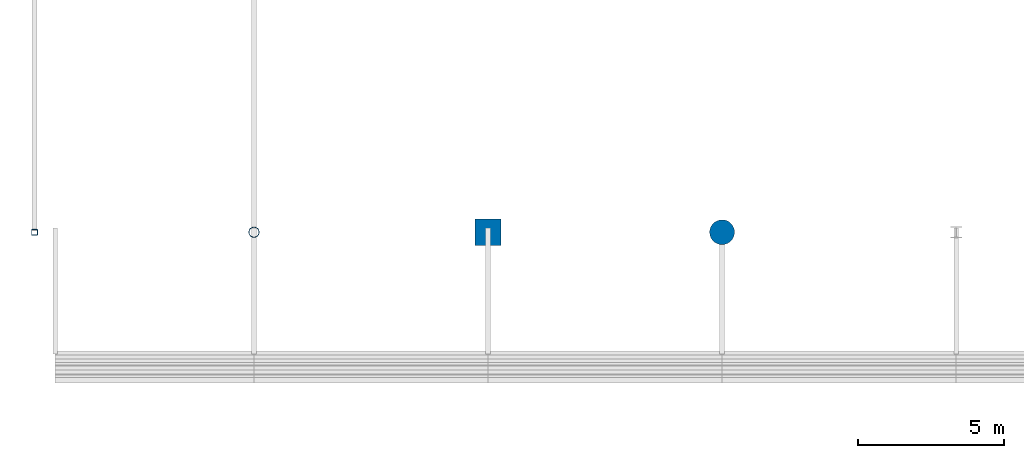
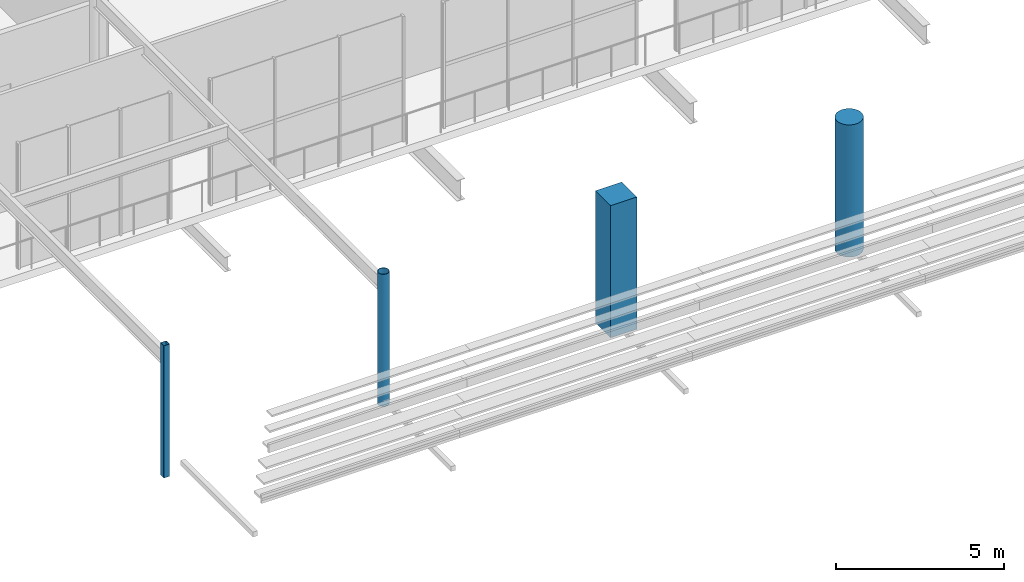
# One storey, part 1 of 70: 4 columns.
"""IFC4 building model written with IfcOpenShell, lengths in metres."""

import ifcopenshell
import ifcopenshell.guid

model = None  # the IFC model being written
_history = None  # IfcOwnerHistory: only IFC2X3 demands one
_inside = {}  # id of a spatial element -> (the spatial element, [elements in it])
_under = {}  # id of a project, library or spatial element -> (it, [spatial elements below it])
_declared = {}  # id of a project -> (the project, [libraries it declares])
_typed = {}  # id of a type object -> (the type object, [elements of that type])
_made_of = {}  # id of a material, layer set ... -> (it, [elements and type objects made of it])


def new_model(schema):
    """Start an empty IFC model of exactly this schema.

    Asked for "IFC4X3", IfcOpenShell would pick the latest addendum, in which some entities
    have other attributes; the version numbers below select the first issue.
    IFC2X3 requires an IfcOwnerHistory on every rooted entity: one is made here for all.
    """
    global model, _history
    if schema == "IFC4X3":
        model = ifcopenshell.file(schema_version=(4, 3, 0, 0))
    else:
        model = ifcopenshell.file(schema=schema)
    _inside.clear()
    _under.clear()
    _declared.clear()
    _typed.clear()
    _made_of.clear()
    _history = None
    if model.schema == "IFC2X3":
        org = make("IfcOrganization", Name="unknown")
        user = make(
            "IfcPersonAndOrganization",
            ThePerson=make("IfcPerson", FamilyName="unknown"),
            TheOrganization=org,
        )
        app = make(
            "IfcApplication",
            ApplicationDeveloper=org,
            Version="unknown",
            ApplicationFullName="unknown",
            ApplicationIdentifier="unknown",
        )
        _history = make(
            "IfcOwnerHistory",
            OwningUser=user,
            OwningApplication=app,
            ChangeAction="ADDED",
            CreationDate=0,
        )
    return model


def make(cls, **values):
    """One entity of the class cls with the attributes given. An attribute that is None is left unset."""
    return model.create_entity(
        cls, **{name: value for name, value in values.items() if value is not None}
    )


def rooted(cls, **values):
    """An entity with a GlobalId (a new one), such as an element, a storey or a relation."""
    return make(cls, GlobalId=ifcopenshell.guid.new(), OwnerHistory=_history, **values)


def si_unit(unit_type, name, prefix=None):
    """IfcSIUnit, for example si_unit("LENGTHUNIT", "METRE", prefix="MILLI")."""
    return make("IfcSIUnit", UnitType=unit_type, Prefix=prefix, Name=name)


def assignment(units):
    """IfcUnitAssignment: the units of a project."""
    return None if units is None else make("IfcUnitAssignment", Units=units)


def point(xyz):
    """IfcCartesianPoint."""
    return None if xyz is None else make("IfcCartesianPoint", Coordinates=xyz)


def direction(xyz):
    """IfcDirection."""
    return None if xyz is None else make("IfcDirection", DirectionRatios=xyz)


def frame(location, z_axis=None, x_axis=None):
    """IfcAxis2Placement3D, a coordinate frame: its origin and axes. An axis left out is left unset."""
    return make(
        "IfcAxis2Placement3D",
        Location=point(location),
        Axis=direction(z_axis),
        RefDirection=direction(x_axis),
    )


def frame_2d(location, x_axis=None):
    """IfcAxis2Placement2D, a coordinate frame in the plane: its origin and x axis."""
    return make(
        "IfcAxis2Placement2D", Location=point(location), RefDirection=direction(x_axis)
    )


def origin():
    """The frame at (0, 0, 0) with its axes left unset."""
    return frame((0.0, 0.0, 0.0))


def origin_2d():
    """The frame at (0, 0) in the plane with its x axis left unset."""
    return frame_2d((0.0, 0.0))


def place(relative_to, where):
    """IfcLocalPlacement: puts the frame where relative to a parent placement (None: the world)."""
    return make(
        "IfcLocalPlacement", PlacementRelTo=relative_to, RelativePlacement=where
    )


def context(
    kind, dimensions, precision=None, world=None, true_north=None, identifier=None
):
    """IfcGeometricRepresentationContext, for example the 3D "Model" context."""
    return make(
        "IfcGeometricRepresentationContext",
        ContextIdentifier=identifier,
        ContextType=kind,
        CoordinateSpaceDimension=dimensions,
        Precision=precision,
        WorldCoordinateSystem=world,
        TrueNorth=true_north,
    )


def subcontext(parent, identifier, kind, view, scale=None):
    """IfcGeometricRepresentationSubContext, for example "Body" below "Model"."""
    return make(
        "IfcGeometricRepresentationSubContext",
        ContextIdentifier=identifier,
        ContextType=kind,
        ParentContext=parent,
        TargetScale=scale,
        TargetView=view,
    )


def project(units=None, contexts=None):
    """IfcProject with its units and contexts."""
    return rooted(
        "IfcProject",
        Name="project",
        RepresentationContexts=contexts,
        UnitsInContext=assignment(units),
    )


def spatial(cls, under=None, at=None, **own):
    """A site, building, storey or space (cls), placed at a placement, below another one or the project."""
    s = rooted(cls, ObjectPlacement=at, **own)
    if under is not None:
        _under.setdefault(under.id(), (under, []))[1].append(s)
    return s


def profile(cls, at=None, kind="AREA", **sizes):
    """A parametric profile (cls). Its sizes go by their IFC names, for example OverallWidth=200.0."""
    return make(cls, ProfileType=kind, Position=at, **sizes)


def rectangle(**sizes):
    """IfcRectangleProfileDef."""
    return profile("IfcRectangleProfileDef", **sizes)


def hollow_rectangle(**sizes):
    """IfcRectangleHollowProfileDef."""
    return profile("IfcRectangleHollowProfileDef", **sizes)


def circle(**sizes):
    """IfcCircleProfileDef."""
    return profile("IfcCircleProfileDef", **sizes)


def hollow_circle(**sizes):
    """IfcCircleHollowProfileDef."""
    return profile("IfcCircleHollowProfileDef", **sizes)


def extrude(swept, where, along, depth):
    """IfcExtrudedAreaSolid: the profile swept, set in the frame where, extruded along a direction by depth."""
    return make(
        "IfcExtrudedAreaSolid",
        SweptArea=swept,
        Position=where,
        ExtrudedDirection=direction(along),
        Depth=depth,
    )


def shape(context_of_items, identifier, shape_type, items):
    """IfcShapeRepresentation: the items that make up one representation, for example the "Body"."""
    return make(
        "IfcShapeRepresentation",
        ContextOfItems=context_of_items,
        RepresentationIdentifier=identifier,
        RepresentationType=shape_type,
        Items=items,
    )


def material(Name=None, Category=None):
    """IfcMaterial."""
    return make("IfcMaterial", Name=Name, Category=Category)


def material_profile(
    of_material, cross_section, Name=None, Category=None, Priority=None
):
    """IfcMaterialProfile: a cross section and its material."""
    return make(
        "IfcMaterialProfile",
        Name=Name,
        Material=of_material,
        Profile=cross_section,
        Priority=Priority,
        Category=Category,
    )


def profile_set(profiles, Name=None, composite=None):
    """IfcMaterialProfileSet."""
    return make(
        "IfcMaterialProfileSet",
        Name=Name,
        MaterialProfiles=profiles,
        CompositeProfile=composite,
    )


def made_of(thing, what):
    """Note that an element or type object is made of a material, layer set ...; save() writes the relation."""
    if what is not None:
        _made_of.setdefault(what.id(), (what, []))[1].append(thing)
    return thing


def type_object(cls, material=None, **own):
    """A type object (cls), such as IfcWallType, which elements share."""
    return made_of(rooted(cls, **own), material)


def element(
    cls,
    number,
    at=None,
    inside=None,
    cuts=None,
    type_object=None,
    material=None,
    context=None,
    identifier="Body",
    shape_type=None,
    held_by="IfcProductDefinitionShape",
    body=None,
    shapes=None,
    **own,
):
    """One element of the class cls, such as IfcWall. Its Tag is "e" and its number.

    at: its placement. inside: the storey or other place that contains it. cuts: it is an
    opening in that element (IfcRelVoidsElement). A single representation is given by context,
    identifier, shape_type and body (its items); several are given by shapes. held_by: the class
    of the entity that holds the representations. save() writes the other relations.
    """
    e = rooted(cls, Tag="e%d" % number, ObjectPlacement=at, **own)
    if body is not None:
        shapes = [shape(context, identifier, shape_type, body)]
    if shapes is not None:
        e.Representation = make(held_by, Representations=shapes)
    if inside is not None:
        _inside.setdefault(inside.id(), (inside, []))[1].append(e)
    if cuts is not None:
        rooted(
            "IfcRelVoidsElement", RelatingBuildingElement=cuts, RelatedOpeningElement=e
        )
    if type_object is not None:
        _typed.setdefault(type_object.id(), (type_object, []))[1].append(e)
    return made_of(e, material)


def aggregate(whole, parts):
    """IfcRelAggregates: a whole, such as a stair, and the parts it consists of."""
    return rooted("IfcRelAggregates", RelatingObject=whole, RelatedObjects=parts)


def save(model, path):
    """Write the relations noted so far, then the file.

    IfcRelAggregates (storeys below a building ...), IfcRelContainedInSpatialStructure (elements
    in a storey), IfcRelDefinesByType, IfcRelAssociatesMaterial and IfcRelDeclares: one each for
    every whole, place, type object, material and project.
    """
    for whole, parts in _under.values():
        aggregate(whole, parts)
    for where, things in _inside.values():
        rooted(
            "IfcRelContainedInSpatialStructure",
            RelatedElements=things,
            RelatingStructure=where,
        )
    for kind, things in _typed.values():
        rooted("IfcRelDefinesByType", RelatedObjects=things, RelatingType=kind)
    for what, things in _made_of.values():
        rooted("IfcRelAssociatesMaterial", RelatedObjects=things, RelatingMaterial=what)
    for by, libraries in _declared.values():
        rooted("IfcRelDeclares", RelatingContext=by, RelatedDefinitions=libraries)
    model.write(path)


model = new_model("IFC4")

# Units and contexts
model_context = context("Model", 3, precision=1e-05, world=origin(), true_north=direction((0.0, 1.0)))
body_context = subcontext(model_context, "Body", "Model", "MODEL_VIEW")
ifc_project = project(units=[si_unit("LENGTHUNIT", "METRE"), si_unit("AREAUNIT", "SQUARE_METRE"), si_unit("VOLUMEUNIT", "CUBIC_METRE"), si_unit("PLANEANGLEUNIT", "RADIAN"), si_unit("MASSUNIT", "GRAM", prefix="KILO")], contexts=[model_context])

# Site, building, storey
site_placement = place(None, origin())
site = spatial("IfcSite", under=ifc_project, at=site_placement, CompositionType="ELEMENT")
building_placement = place(site_placement, origin())
building = spatial("IfcBuilding", under=site, at=building_placement, Name="Brisemont Oceanarium", CompositionType="ELEMENT")
storey_placement = place(building_placement, frame((0.0, 0.0, 10.199951171875)))
storey = spatial("IfcBuildingStorey", under=building, at=storey_placement, Name="L02", CompositionType="ELEMENT", Elevation=10.199951171875)

# Columns
ifc_material_1 = material(Name="Structural Steel ASTM A500 Gr.C", Category="steel")
ifc_material_profile_1 = material_profile(ifc_material_1, hollow_circle(Radius=0.177978515625, WallThickness=0.01171875, at=origin_2d()), Name="HSS14.000X0.500")
ifc_profile_set_1 = profile_set([ifc_material_profile_1], Name="Structural Steel ASTM A500 Gr.C")
column_type_1 = type_object("IfcColumnType", Name="COL-CHS14", PredefinedType="COLUMN", material=ifc_profile_set_1)
column_1_placement = place(storey_placement, frame((16.0, 6.800048828125, 0.0), z_axis=(0.0, 0.0, 1.0), x_axis=(0.0, 1.0, 0.0)))
element("IfcColumn", 1, at=column_1_placement, inside=storey, type_object=column_type_1, Name="V2 L02 column (1,0)", PredefinedType="COLUMN", context=body_context, shape_type="SweptSolid", body=[
    extrude(hollow_circle(Radius=0.177978515625, WallThickness=0.01171875, at=origin_2d()), origin(), (0.0, 0.0, 1.0), 4.800048828125),
])
ifc_material_2 = material(Name="Structural Steel ASTM A500 Gr.C", Category="steel")
ifc_material_profile_2 = material_profile(ifc_material_2, hollow_rectangle(XDim=0.202880859375, YDim=0.202880859375, WallThickness=0.0087890625, InnerFilletRadius=0.009033203125, OuterFilletRadius=0.01806640625, at=origin_2d()), Name="HSS8X8X3/8")
ifc_profile_set_2 = profile_set([ifc_material_profile_2], Name="Structural Steel ASTM A500 Gr.C")
column_type_2 = type_object("IfcColumnType", Name="COL-HSS8X8", PredefinedType="COLUMN", material=ifc_profile_set_2)
column_2_placement = place(storey_placement, frame((8.5, 6.800048828125, 0.0), z_axis=(0.0, 0.0, 1.0), x_axis=(1.0, 0.0, 0.0)))
element("IfcColumn", 2, at=column_2_placement, inside=storey, type_object=column_type_2, Name="V2 L02 column (0,0)", PredefinedType="COLUMN", context=body_context, shape_type="SweptSolid", body=[
    extrude(hollow_rectangle(XDim=0.202880859375, YDim=0.202880859375, WallThickness=0.0087890625, InnerFilletRadius=0.009033203125, OuterFilletRadius=0.01806640625, at=origin_2d()), origin(), (0.0, 0.0, 1.0), 4.800048828125),
])
ifc_material_3 = material(Name="Concrete C40/50", Category="concrete")
ifc_material_profile_3 = material_profile(ifc_material_3, rectangle(XDim=0.89990234375, YDim=0.89990234375, at=origin_2d()), Name="RC-COL-900X900")
ifc_profile_set_3 = profile_set([ifc_material_profile_3], Name="Concrete C40/50")
column_type_3 = type_object("IfcColumnType", Name="COL-RC900", PredefinedType="COLUMN", material=ifc_profile_set_3)
column_3_placement = place(storey_placement, frame((24.0, 6.800048828125, 0.0), z_axis=(0.0, 0.0, 1.0), x_axis=(1.0, 0.0, 0.0)))
element("IfcColumn", 3, at=column_3_placement, inside=storey, type_object=column_type_3, Name="V2 L02 column (2,0)", PredefinedType="COLUMN", context=body_context, shape_type="SweptSolid", body=[
    extrude(rectangle(XDim=0.89990234375, YDim=0.89990234375, at=origin_2d()), origin(), (0.0, 0.0, 1.0), 4.800048828125),
])
ifc_material_4 = material(Name="Concrete C40/50", Category="concrete")
ifc_material_profile_4 = material_profile(ifc_material_4, circle(Radius=0.425048828125, at=origin_2d()), Name="RC-COL-D850")
ifc_profile_set_4 = profile_set([ifc_material_profile_4], Name="Concrete C40/50")
column_type_4 = type_object("IfcColumnType", Name="COL-RCD850", PredefinedType="COLUMN", material=ifc_profile_set_4)
column_4_placement = place(storey_placement, frame((32.0, 6.800048828125, 0.0), z_axis=(0.0, 0.0, 1.0), x_axis=(0.0, 1.0, 0.0)))
element("IfcColumn", 4, at=column_4_placement, inside=storey, type_object=column_type_4, Name="V2 L02 column (3,0)", PredefinedType="COLUMN", context=body_context, shape_type="SweptSolid", body=[
    extrude(circle(Radius=0.425048828125, at=origin_2d()), origin(), (0.0, 0.0, 1.0), 4.800048828125),
])

save(model, "model.ifc")
